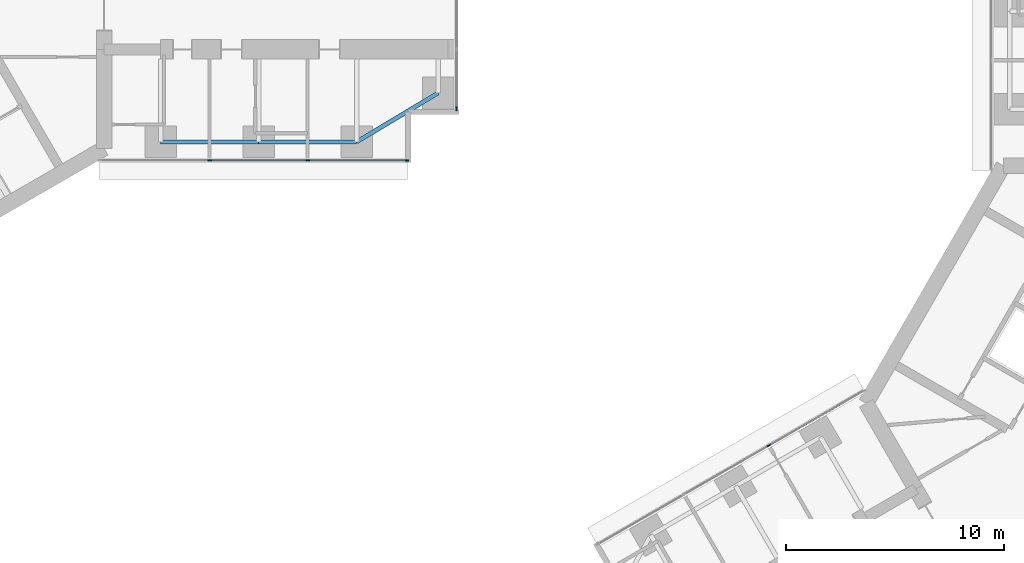
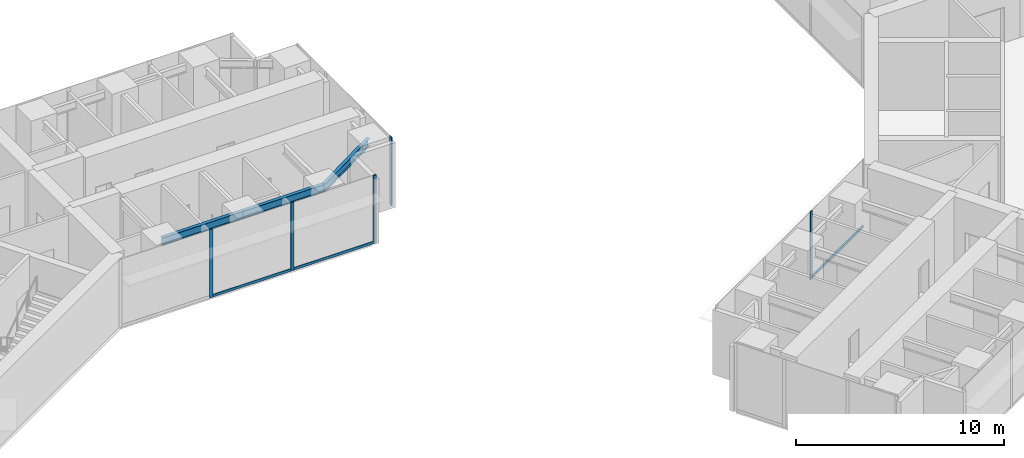
# One storey, part 5 of 24: 8 members, 3 beams, 3 elements without a shape of their own.
"""IFC4 building model written with IfcOpenShell, lengths in metres."""

from ifc_helpers import new_model, si_unit, direction, frame, origin, origin_2d, place, context, subcontext, project, spatial, rectangle, i_section, extrude, material, material_profile, profile_set, type_object, element, aggregate, save


model = new_model("IFC4")

# Units and contexts
model_context = context("Model", 3, precision=1e-05, world=origin(), true_north=direction((0.0, 1.0)))
body_context = subcontext(model_context, "Body", "Model", "MODEL_VIEW")
ifc_project = project(units=[si_unit("LENGTHUNIT", "METRE"), si_unit("AREAUNIT", "SQUARE_METRE"), si_unit("VOLUMEUNIT", "CUBIC_METRE"), si_unit("PLANEANGLEUNIT", "RADIAN"), si_unit("MASSUNIT", "GRAM", prefix="KILO")], contexts=[model_context])

# Site, building, storey
site_placement = place(None, origin())
site = spatial("IfcSite", under=ifc_project, at=site_placement, CompositionType="ELEMENT")
building_placement = place(site_placement, origin())
building = spatial("IfcBuilding", under=site, at=building_placement, Name="Upepo Twin Towers", CompositionType="ELEMENT")
storey_placement = place(building_placement, frame((0.0, 0.0, 68.5)))
storey = spatial("IfcBuildingStorey", under=building, at=storey_placement, Name="L16", CompositionType="ELEMENT", Elevation=68.5)

# Beams
ifc_material_1 = material(Name="Steel S355", Category="steel")
ifc_material_profile_1 = material_profile(ifc_material_1, i_section(OverallWidth=0.1904296875, OverallDepth=0.45703125, WebThickness=0.009033203125, FlangeThickness=0.014404296875, FilletRadius=0.01025390625, at=origin_2d()), Name="UB 457x191x74")
ifc_profile_set_1 = profile_set([ifc_material_profile_1], Name="Steel S355")
beam_type = type_object("IfcBeamType", Name="Beam UB 457x191x74", PredefinedType="BEAM", material=ifc_profile_set_1)
for number, where, z_axis, x_axis, name in (
    (1, (13.5, -6.0, 3.571533203125), (1.0, 0.0, 0.0), (0.0, 1.0, 0.0), "T1 edge beam AR 13.5-18.0"),
    (2, (18.0, -6.0, 3.571533203125), (1.0, 0.0, 0.0), (0.0, 1.0, 0.0), "T1 edge beam AR 18.0-22.5"),
):
    element("IfcBeam", number, at=place(storey_placement, frame(where, z_axis=z_axis, x_axis=x_axis)), inside=storey, type_object=beam_type, Name=name, PredefinedType="BEAM", context=body_context, shape_type="SweptSolid", body=[
        extrude(i_section(OverallWidth=0.1904296875, OverallDepth=0.45703125, WebThickness=0.009033203125, FlangeThickness=0.014404296875, FilletRadius=0.01025390625, at=origin_2d()), origin(), (0.0, 0.0, 1.0), 4.5),
    ])
beam_placement = place(storey_placement, frame((22.5, -6.0, 3.571533203125), z_axis=(0.857492925713, 0.514495755428, 0.0), x_axis=(-0.514495755428, 0.857492925713, 0.0)))
element("IfcBeam", 3, at=beam_placement, inside=storey, type_object=beam_type, Name="T1 nose edge beam AR", PredefinedType="BEAM", context=body_context, shape_type="SweptSolid", body=[
    extrude(i_section(OverallWidth=0.1904296875, OverallDepth=0.45703125, WebThickness=0.009033203125, FlangeThickness=0.014404296875, FilletRadius=0.01025390625, at=origin_2d()), origin(), (0.0, 0.0, 1.0), 4.373291015625),
])

# Curtain wall, members
ifc_material_2 = material(Name="Aluminium and fritted glass", Category="aluminium")
curtain_wall_type = type_object("IfcCurtainWallType", Name="Tower curtain wall TW1, fritted glass", PredefinedType="NOTDEFINED", material=ifc_material_2)
curtain_wall_1_placement = place(storey_placement, origin())
curtain_wall_1 = element("IfcCurtainWall", 4, at=curtain_wall_1_placement, inside=storey, type_object=curtain_wall_type, Name="T1 L16 wing A flank R curtain wall", PredefinedType="NOTDEFINED")
ifc_material_3 = material(Name="Aluminium mullion", Category="aluminium")
ifc_material_profile_2 = material_profile(ifc_material_3, rectangle(XDim=0.06494140625, YDim=0.179931640625, at=origin_2d()), Name="MULLION 65x180")
ifc_profile_set_2 = profile_set([ifc_material_profile_2], Name="Aluminium mullion")
member_type_1 = type_object("IfcMemberType", Name="Mullion 65x180 TW1", PredefinedType="MULLION", material=ifc_profile_set_2)
member_1_placement = place(storey_placement, frame((24.8173828125, -6.85009765625, 0.0), z_axis=(0.0, 0.0, 1.0), x_axis=(0.0, -1.0, 0.0)))
member_1 = element("IfcMember", 5, at=member_1_placement, type_object=member_type_1, Name="T1 L16 wing A flank R curtain wall mullion 1", PredefinedType="MULLION", context=body_context, shape_type="SweptSolid", body=[
    extrude(rectangle(XDim=0.06494140625, YDim=0.179931640625, at=origin_2d()), origin(), (0.0, 0.0, 1.0), 4.0),
])
member_2_placement = place(storey_placement, frame((20.25, -6.85009765625, 0.0), z_axis=(0.0, 0.0, 1.0), x_axis=(0.0, -1.0, 0.0)))
member_2 = element("IfcMember", 6, at=member_2_placement, type_object=member_type_1, Name="T1 L16 wing A flank R curtain wall mullion 2", PredefinedType="MULLION", context=body_context, shape_type="SweptSolid", body=[
    extrude(rectangle(XDim=0.06494140625, YDim=0.179931640625, at=origin_2d()), origin(), (0.0, 0.0, 1.0), 4.0),
])
member_3_placement = place(storey_placement, frame((15.75, -6.85009765625, 0.0), z_axis=(0.0, 0.0, 1.0), x_axis=(0.0, -1.0, 0.0)))
member_3 = element("IfcMember", 7, at=member_3_placement, type_object=member_type_1, Name="T1 L16 wing A flank R curtain wall mullion 3", PredefinedType="MULLION", context=body_context, shape_type="SweptSolid", body=[
    extrude(rectangle(XDim=0.06494140625, YDim=0.179931640625, at=origin_2d()), origin(), (0.0, 0.0, 1.0), 4.0),
])

# Curtain wall, member
curtain_wall_2_placement = place(storey_placement, origin())
curtain_wall_2 = element("IfcCurtainWall", 8, at=curtain_wall_2_placement, inside=storey, type_object=curtain_wall_type, Name="T1 L16 wing A nose curtain wall", PredefinedType="NOTDEFINED")
member_4_placement = place(storey_placement, frame((27.10009765625, -4.467529296875, 0.0), z_axis=(0.0, 0.0, 1.0), x_axis=(-1.0, 0.0, 0.0)))
member_4 = element("IfcMember", 9, at=member_4_placement, type_object=member_type_1, Name="T1 L16 wing A nose curtain wall mullion 1", PredefinedType="MULLION", context=body_context, shape_type="SweptSolid", body=[
    extrude(rectangle(XDim=0.06494140625, YDim=0.179931640625, at=origin_2d()), origin(), (0.0, 0.0, 1.0), 4.0),
])
aggregate(curtain_wall_2, [member_4])

curtain_wall_3_placement = place(storey_placement, origin())
curtain_wall_3 = element("IfcCurtainWall", 10, at=curtain_wall_3_placement, inside=storey, type_object=curtain_wall_type, Name="T2 L16 wing B flank R curtain wall", PredefinedType="NOTDEFINED")
member_5_placement = place(storey_placement, frame((41.43505859375, -19.942626953125, 0.0), z_axis=(0.0, 0.0, 1.0), x_axis=(-0.500000024426, 0.866025389682, 0.0)))
member_5 = element("IfcMember", 11, at=member_5_placement, type_object=member_type_1, Name="T2 L16 wing B flank R curtain wall mullion 3", PredefinedType="MULLION", context=body_context, shape_type="SweptSolid", body=[
    extrude(rectangle(XDim=0.06494140625, YDim=0.179931640625, at=origin_2d()), origin(), (0.0, 0.0, 1.0), 4.0),
])

# Member
ifc_material_4 = material(Name="Aluminium transom", Category="aluminium")
ifc_material_profile_3 = material_profile(ifc_material_4, rectangle(XDim=0.06494140625, YDim=0.14990234375, at=origin_2d()), Name="TRANSOM 65x150")
ifc_profile_set_3 = profile_set([ifc_material_profile_3], Name="Aluminium transom")
member_type_2 = type_object("IfcMemberType", Name="Transom 65x150 TW1", PredefinedType="USERDEFINED", material=ifc_profile_set_3)
member_6_placement = place(storey_placement, frame((24.784912109375, -6.85009765625, 0.074951171875), z_axis=(-1.0, 0.0, 0.0), x_axis=(0.0, -1.0, 0.0)))
member_6 = element("IfcMember", 12, at=member_6_placement, type_object=member_type_2, Name="T1 L16 wing A flank R curtain wall transom 1", ObjectType="TRANSOM", PredefinedType="USERDEFINED", context=body_context, shape_type="SweptSolid", body=[
    extrude(rectangle(XDim=0.06494140625, YDim=0.14990234375, at=origin_2d()), origin(), (0.0, 0.0, 1.0), 4.50244140625),
])

member_7_placement = place(storey_placement, frame((20.217529296875, -6.85009765625, 0.074951171875), z_axis=(-1.0, 0.0, 0.0), x_axis=(0.0, -1.0, 0.0)))
member_7 = element("IfcMember", 13, at=member_7_placement, type_object=member_type_2, Name="T1 L16 wing A flank R curtain wall transom 2", ObjectType="TRANSOM", PredefinedType="USERDEFINED", context=body_context, shape_type="SweptSolid", body=[
    extrude(rectangle(XDim=0.06494140625, YDim=0.14990234375, at=origin_2d()), origin(), (0.0, 0.0, 1.0), 4.43505859375),
])

aggregate(curtain_wall_1, [member_1, member_2, member_3, member_6, member_7])

member_8_placement = place(storey_placement, frame((41.463134765625, -19.926513671875, 0.074951171875), z_axis=(0.866034933967, 0.499983492876, 0.0), x_axis=(-0.499983492876, 0.866034933967, 0.0)))
member_8 = element("IfcMember", 14, at=member_8_placement, type_object=member_type_2, Name="T2 L16 wing B flank R curtain wall transom 3", ObjectType="TRANSOM", PredefinedType="USERDEFINED", context=body_context, shape_type="SweptSolid", body=[
    extrude(rectangle(XDim=0.06494140625, YDim=0.14990234375, at=origin_2d()), origin(), (0.0, 0.0, 1.0), 4.965576171875),
])

aggregate(curtain_wall_3, [member_5, member_8])

save(model, "model.ifc")
